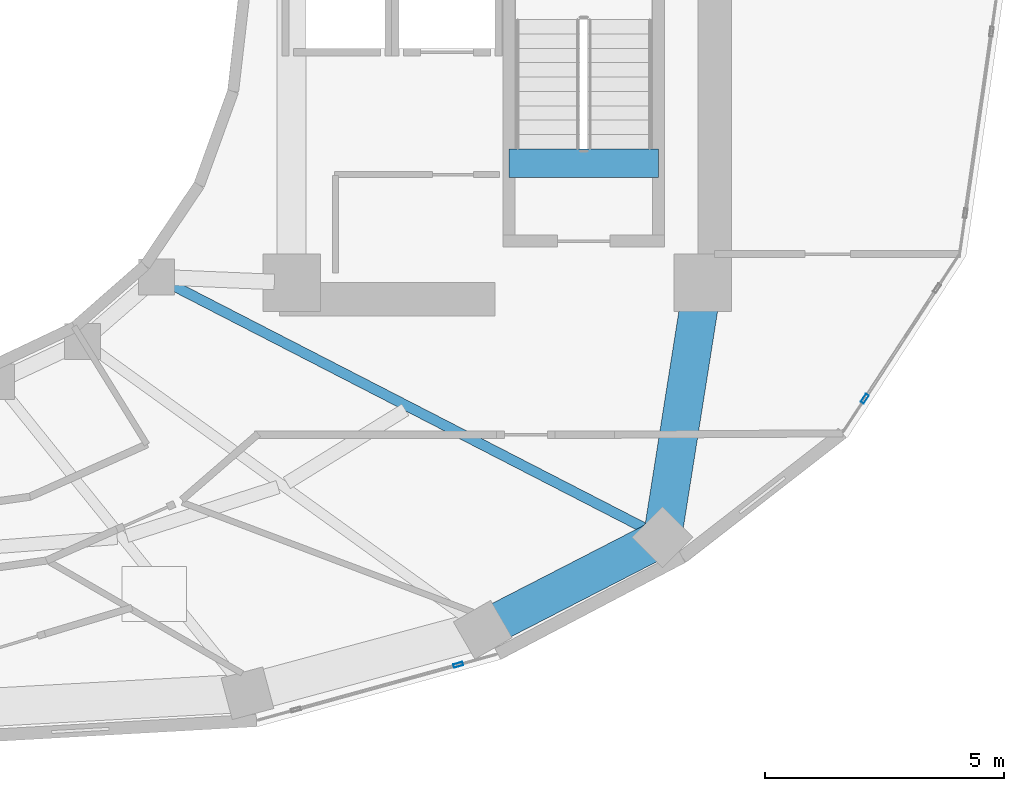
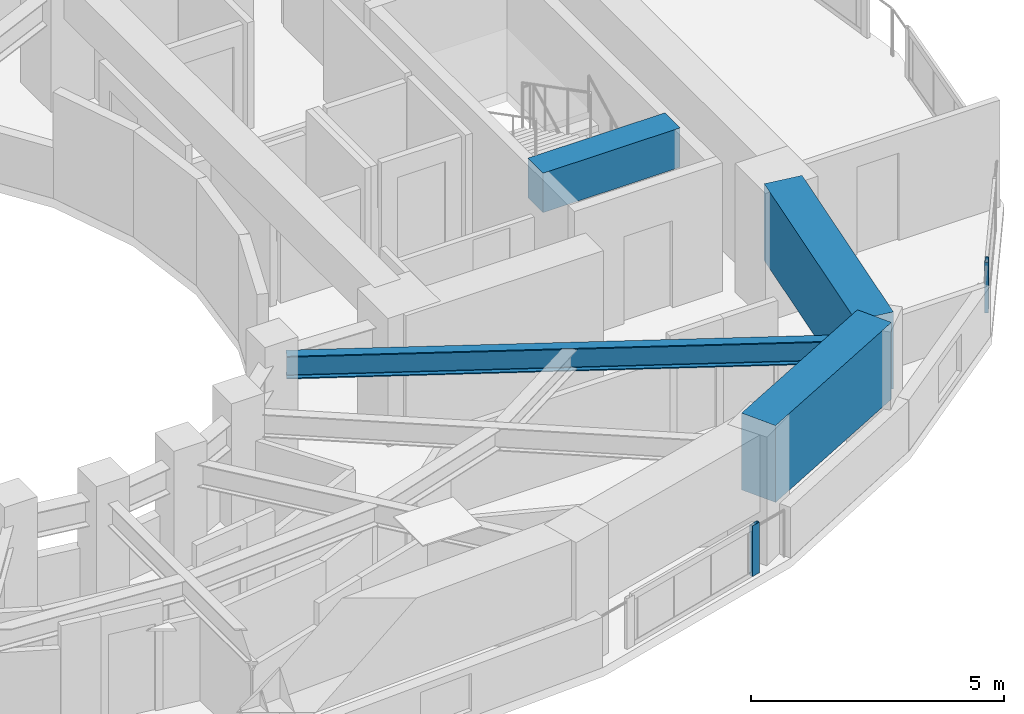
# One storey, part 8 of 20: 4 beams, 2 members, 2 elements without a shape of their own.
"""IFC4 building model written with IfcOpenShell, lengths in metres."""

from ifc_helpers import new_model, si_unit, direction, frame, origin, origin_2d, place, context, subcontext, project, spatial, rectangle, hollow_rectangle, i_section, extrude, material, layer, layer_set, material_profile, profile_set, type_object, element, aggregate, save


model = new_model("IFC4")

# Units and contexts
model_context = context("Model", 3, precision=1e-05, world=origin(), true_north=direction((0.0, 1.0)))
body_context = subcontext(model_context, "Body", "Model", "MODEL_VIEW")
ifc_project = project(units=[si_unit("LENGTHUNIT", "METRE"), si_unit("AREAUNIT", "SQUARE_METRE"), si_unit("VOLUMEUNIT", "CUBIC_METRE"), si_unit("PLANEANGLEUNIT", "RADIAN"), si_unit("MASSUNIT", "GRAM", prefix="KILO")], contexts=[model_context])

# Site, building, storey
site_placement = place(None, origin())
site = spatial("IfcSite", under=ifc_project, at=site_placement, CompositionType="ELEMENT")
building_placement = place(site_placement, origin())
building = spatial("IfcBuilding", under=site, at=building_placement, Name="Solvane Sanctuary Tower", CompositionType="ELEMENT")
storey_placement = place(building_placement, frame((0.0, 0.0, 159.10009765625)))
storey = spatial("IfcBuildingStorey", under=building, at=storey_placement, Name="L48", CompositionType="ELEMENT", Elevation=159.10009765625)

# Beams
ifc_material_1 = material(Name="Concrete C70/85", Category="concrete")
ifc_material_profile_1 = material_profile(ifc_material_1, rectangle(XDim=0.60009765625, YDim=0.949951171875, at=origin_2d()), Name="RC600X950")
ifc_profile_set_1 = profile_set([ifc_material_profile_1], Name="Concrete C70/85")
beam_type_1 = type_object("IfcBeamType", Name="Beam B-COUPLE RC600X950", PredefinedType="LINTEL", material=ifc_profile_set_1)
beam_1_placement = place(storey_placement, frame((44.64990234375, 19.399169921875, 2.625), z_axis=(1.0, 0.0, 0.0), x_axis=(0.0, 1.0, 0.0)))
element("IfcBeam", 1, at=beam_1_placement, inside=storey, type_object=beam_type_1, Name="L48 ST-2 Stair Floor Landing Trimmer", PredefinedType="LINTEL", context=body_context, shape_type="SweptSolid", body=[
    extrude(rectangle(XDim=0.60009765625, YDim=0.949951171875, at=origin_2d()), origin(), (0.0, 0.0, 1.0), 3.1201171875),
])
ifc_material_2 = material(Name="Steel ASTM A992 Grade 50", Category="steel")
ifc_material_profile_2 = material_profile(ifc_material_2, i_section(OverallWidth=0.214111328125, OverallDepth=0.549072265625, WebThickness=0.0146484375, FlangeThickness=0.023681640625, FilletRadius=0.014892578125, at=origin_2d()), Name="W21X93")
ifc_profile_set_2 = profile_set([ifc_material_profile_2], Name="Steel ASTM A992 Grade 50")
beam_type_2 = type_object("IfcBeamType", Name="Beam B-RAD-Z3 W21X93", PredefinedType="JOIST", material=ifc_profile_set_2)
beam_2_placement = place(storey_placement, frame((37.52392578125, 16.889892578125, 2.323486328125), z_axis=(0.889204980299, -0.457509019595, 0.0), x_axis=(0.457509019595, 0.889204980299, 0.0)))
element("IfcBeam", 2, at=beam_2_placement, inside=storey, type_object=beam_type_2, Name="L48 Radial Composite Floor Beam 14", PredefinedType="JOIST", context=body_context, shape_type="SweptSolid", body=[
    extrude(i_section(OverallWidth=0.214111328125, OverallDepth=0.549072265625, WebThickness=0.0146484375, FlangeThickness=0.023681640625, FilletRadius=0.014892578125, at=origin_2d()), origin(), (0.0, 0.0, 1.0), 11.340087890625),
])
ifc_material_profile_3 = material_profile(ifc_material_1, rectangle(XDim=0.800048828125, YDim=1.85009765625, at=origin_2d()), Name="RC800X1850")
ifc_profile_set_3 = profile_set([ifc_material_profile_3], Name="Concrete C70/85")
beam_type_3 = type_object("IfcBeamType", Name="Beam B-XFER-BLK RC800X1850", PredefinedType="BEAM", material=ifc_profile_set_3)
beam_3_placement = place(storey_placement, frame((44.09814453125, 9.640625, 2.1748046875), z_axis=(0.889297870953, 0.457328434189, 0.0), x_axis=(-0.457328434189, 0.889297870953, 0.0)))
element("IfcBeam", 3, at=beam_3_placement, inside=storey, type_object=beam_type_3, Name="L48 Perimeter Step Transfer Ring NTC13-NTC14", PredefinedType="BEAM", context=body_context, shape_type="SweptSolid", body=[
    extrude(rectangle(XDim=0.800048828125, YDim=1.85009765625, at=origin_2d()), origin(), (0.0, 0.0, 1.0), 4.226318359375),
])
beam_4_placement = place(storey_placement, frame((47.856689453125, 11.573486328125, 2.1748046875), z_axis=(0.156393503441, 0.987694827404, 0.0), x_axis=(-0.987694827404, 0.156393503441, 0.0)))
element("IfcBeam", 4, at=beam_4_placement, inside=storey, type_object=beam_type_3, Name="L48 Perimeter Step Transfer Ring NTC14-CE2", PredefinedType="BEAM", context=body_context, shape_type="SweptSolid", body=[
    extrude(rectangle(XDim=0.800048828125, YDim=1.85009765625, at=origin_2d()), origin(), (0.0, 0.0, 1.0), 5.032958984375),
])

# Curtain wall, member
ifc_material_3 = material(Name="Anodised Aluminium 6063-T6", Category="aluminium")
ifc_layer_1 = layer(ifc_material_3, 0.179931640625, Name="Anodised Aluminium 6063-T6")
ifc_layer_set_1 = layer_set([ifc_layer_1], Name="Anodised Aluminium 6063-T6")
curtain_wall_type_1 = type_object("IfcCurtainWallType", Name="Curtain Wall CW-FRIT-Z2", PredefinedType="NOTDEFINED", material=ifc_layer_set_1)
curtain_wall_1_placement = place(storey_placement, origin())
curtain_wall_1 = element("IfcCurtainWall", 5, at=curtain_wall_1_placement, inside=storey, type_object=curtain_wall_type_1, Name="L48 CW-FRIT-Z2 Facade Run 19", PredefinedType="NOTDEFINED")
ifc_material_profile_4 = material_profile(ifc_material_3, hollow_rectangle(XDim=0.074951171875, YDim=0.199951171875, WallThickness=0.00390625, at=origin_2d()), Name="ALU200X75X4")
ifc_profile_set_4 = profile_set([ifc_material_profile_4], Name="Anodised Aluminium 6063-T6")
member_type = type_object("IfcMemberType", Name="Member M-CW-MUL-1 ALU200X75X4", PredefinedType="MULLION", material=ifc_profile_set_4)
member_1_placement = place(storey_placement, frame((43.586669921875, 8.908447265625, 0.0), z_axis=(0.0, 0.0, 1.0), x_axis=(-0.266021653965, 0.963967053183, 0.0)))
member_1 = element("IfcMember", 6, at=member_1_placement, type_object=member_type, Name="CW-FRIT-Z2 mullion 2", PredefinedType="MULLION", context=body_context, shape_type="SweptSolid", body=[
    extrude(hollow_rectangle(XDim=0.074951171875, YDim=0.199951171875, WallThickness=0.00390625, at=origin_2d()), origin(), (0.0, 0.0, 1.0), 1.219970703125),
])
aggregate(curtain_wall_1, [member_1])

ifc_layer_2 = layer(ifc_material_3, 0.2099609375, Name="Anodised Aluminium 6063-T6")
ifc_layer_set_2 = layer_set([ifc_layer_2], Name="Anodised Aluminium 6063-T6")
curtain_wall_type_2 = type_object("IfcCurtainWallType", Name="Curtain Wall CW-PORTAL", PredefinedType="NOTDEFINED", material=ifc_layer_set_2)
curtain_wall_2_placement = place(storey_placement, origin())
curtain_wall_2 = element("IfcCurtainWall", 7, at=curtain_wall_2_placement, inside=storey, type_object=curtain_wall_type_2, Name="L48 CW-PORTAL Facade Run 22", PredefinedType="NOTDEFINED")
member_2_placement = place(storey_placement, frame((52.088623046875, 14.47412109375, 0.0), z_axis=(0.0, 0.0, 1.0), x_axis=(-0.836849767027, 0.547432614507, 0.0)))
member_2 = element("IfcMember", 8, at=member_2_placement, type_object=member_type, Name="CW-PORTAL mullion 1", PredefinedType="MULLION", context=body_context, shape_type="SweptSolid", body=[
    extrude(hollow_rectangle(XDim=0.074951171875, YDim=0.199951171875, WallThickness=0.00390625, at=origin_2d()), origin(), (0.0, 0.0, 1.0), 1.219970703125),
])
aggregate(curtain_wall_2, [member_2])

save(model, "model.ifc")
